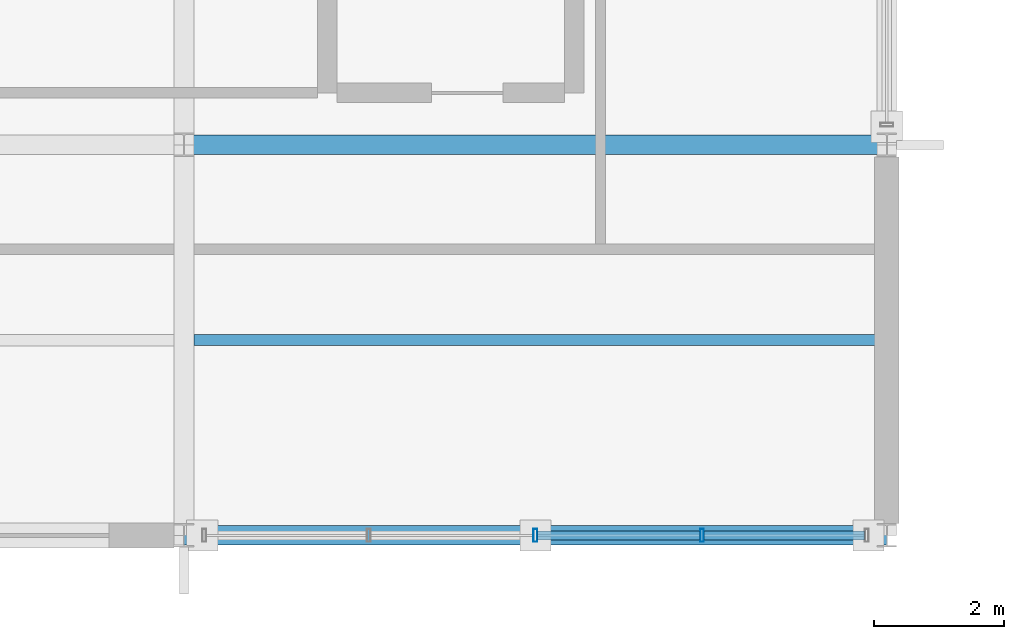
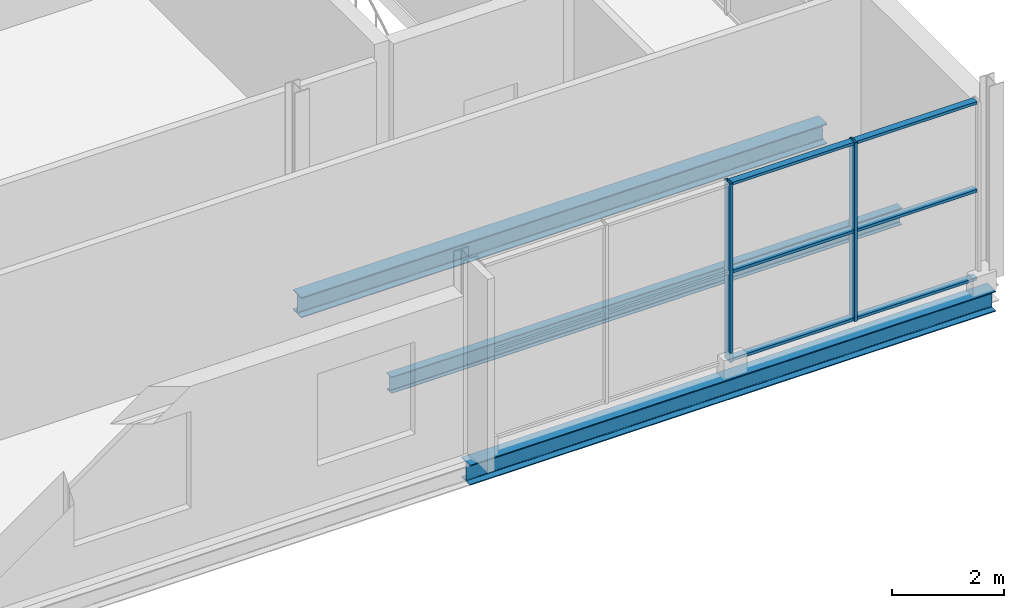
# One storey, part 79 of 117: 8 members, 3 beams, 1 element without a shape of its own.
"""IFC4 building model written with IfcOpenShell, lengths in metres."""

from ifc_helpers import new_model, si_unit, direction, frame, origin, origin_2d, place, context, subcontext, project, spatial, hollow_rectangle, i_section, extrude, material, material_profile, profile_set, type_object, element, aggregate, save


model = new_model("IFC4")

# Units and contexts
model_context = context("Model", 3, precision=1e-05, world=origin(), true_north=direction((0.0, 1.0)))
body_context = subcontext(model_context, "Body", "Model", "MODEL_VIEW")
ifc_project = project(units=[si_unit("LENGTHUNIT", "METRE"), si_unit("AREAUNIT", "SQUARE_METRE"), si_unit("VOLUMEUNIT", "CUBIC_METRE"), si_unit("PLANEANGLEUNIT", "RADIAN"), si_unit("MASSUNIT", "GRAM", prefix="KILO")], contexts=[model_context])

# Site, building, storey
site_placement = place(None, origin())
site = spatial("IfcSite", under=ifc_project, at=site_placement, CompositionType="ELEMENT")
building_placement = place(site_placement, origin())
building = spatial("IfcBuilding", under=site, at=building_placement, Name="Merenkruunu Market Hall", CompositionType="ELEMENT")
storey_placement = place(building_placement, frame((0.0, 0.0, 10.199951171875)))
storey = spatial("IfcBuildingStorey", under=building, at=storey_placement, Name="L02", CompositionType="ELEMENT", Elevation=10.199951171875)

# Curtain wall, members
ifc_material_1 = material(Name="Powder-coated aluminium", Category="aluminium")
curtain_wall_type = type_object("IfcCurtainWallType", Name="Glazed Curtain Wall CW07", PredefinedType="USERDEFINED", material=ifc_material_1)
curtain_wall_placement = place(storey_placement, origin())
curtain_wall = element("IfcCurtainWall", 1, at=curtain_wall_placement, inside=storey, type_object=curtain_wall_type, Name="CW-L02-CWM03-216", ObjectType="GLAZED_FACADE", PredefinedType="USERDEFINED")
ifc_material_profile_1 = material_profile(ifc_material_1, hollow_rectangle(XDim=0.06005859375, YDim=0.199951171875, WallThickness=0.0048828125, at=origin_2d()), Name="ALU 60x200x5")
ifc_profile_set_1 = profile_set([ifc_material_profile_1], Name="Powder-coated aluminium")
member_type_1 = type_object("IfcMemberType", Name="Curtain Wall Mullion CWM03", PredefinedType="MULLION", material=ifc_profile_set_1)
member_1_placement = place(storey_placement, frame((189.159912109375, 0.0, 0.0), z_axis=(0.0, 0.0, 1.0), x_axis=(-1.0, 0.0, 0.0)))
member_1 = element("IfcMember", 2, at=member_1_placement, type_object=member_type_1, Name="CW07 mullion 2", PredefinedType="MULLION", context=body_context, shape_type="SweptSolid", body=[
    extrude(hollow_rectangle(XDim=0.06005859375, YDim=0.199951171875, WallThickness=0.0048828125, at=origin_2d()), origin(), (0.0, 0.0, 1.0), 3.880126953125),
])
member_2_placement = place(storey_placement, frame((186.60009765625, 0.0, 0.0), z_axis=(0.0, 0.0, 1.0), x_axis=(-1.0, 0.0, 0.0)))
member_2 = element("IfcMember", 3, at=member_2_placement, type_object=member_type_1, Name="CW07 mullion 3", PredefinedType="MULLION", context=body_context, shape_type="SweptSolid", body=[
    extrude(hollow_rectangle(XDim=0.06005859375, YDim=0.199951171875, WallThickness=0.0048828125, at=origin_2d()), origin(), (0.0, 0.0, 1.0), 3.880126953125),
])
ifc_material_profile_2 = material_profile(ifc_material_1, hollow_rectangle(XDim=0.06005859375, YDim=0.139892578125, WallThickness=0.00390625, at=origin_2d()), Name="ALU 60x140x4")
ifc_profile_set_2 = profile_set([ifc_material_profile_2], Name="Powder-coated aluminium")
member_type_2 = type_object("IfcMemberType", Name="Curtain Wall Transom CWT02", PredefinedType="USERDEFINED", material=ifc_profile_set_2)
member_3_placement = place(storey_placement, frame((191.659912109375, 0.0, 0.030029296875), z_axis=(-1.0, 0.0, 0.0), x_axis=(0.0, 0.0, 1.0)))
member_3 = element("IfcMember", 4, at=member_3_placement, type_object=member_type_2, Name="CW07 transom 1.1", ObjectType="TRANSOM", PredefinedType="USERDEFINED", context=body_context, shape_type="SweptSolid", body=[
    extrude(hollow_rectangle(XDim=0.06005859375, YDim=0.139892578125, WallThickness=0.00390625, at=origin_2d()), origin(), (0.0, 0.0, 1.0), 2.469970703125),
])
member_4_placement = place(storey_placement, frame((191.659912109375, 0.0, 1.93994140625), z_axis=(-1.0, 0.0, 0.0), x_axis=(0.0, 0.0, 1.0)))
member_4 = element("IfcMember", 5, at=member_4_placement, type_object=member_type_2, Name="CW07 transom 1.2", ObjectType="TRANSOM", PredefinedType="USERDEFINED", context=body_context, shape_type="SweptSolid", body=[
    extrude(hollow_rectangle(XDim=0.06005859375, YDim=0.139892578125, WallThickness=0.00390625, at=origin_2d()), origin(), (0.0, 0.0, 1.0), 2.469970703125),
])
member_5_placement = place(storey_placement, frame((191.659912109375, 0.0, 3.85009765625), z_axis=(-1.0, 0.0, 0.0), x_axis=(0.0, 0.0, 1.0)))
member_5 = element("IfcMember", 6, at=member_5_placement, type_object=member_type_2, Name="CW07 transom 1.3", ObjectType="TRANSOM", PredefinedType="USERDEFINED", context=body_context, shape_type="SweptSolid", body=[
    extrude(hollow_rectangle(XDim=0.06005859375, YDim=0.139892578125, WallThickness=0.00390625, at=origin_2d()), origin(), (0.0, 0.0, 1.0), 2.469970703125),
])
member_6_placement = place(storey_placement, frame((189.1298828125, 0.0, 0.030029296875), z_axis=(-1.0, 0.0, 0.0), x_axis=(0.0, 0.0, 1.0)))
member_6 = element("IfcMember", 7, at=member_6_placement, type_object=member_type_2, Name="CW07 transom 2.1", ObjectType="TRANSOM", PredefinedType="USERDEFINED", context=body_context, shape_type="SweptSolid", body=[
    extrude(hollow_rectangle(XDim=0.06005859375, YDim=0.139892578125, WallThickness=0.00390625, at=origin_2d()), origin(), (0.0, 0.0, 1.0), 2.5),
])
member_7_placement = place(storey_placement, frame((189.1298828125, 0.0, 1.93994140625), z_axis=(-1.0, 0.0, 0.0), x_axis=(0.0, 0.0, 1.0)))
member_7 = element("IfcMember", 8, at=member_7_placement, type_object=member_type_2, Name="CW07 transom 2.2", ObjectType="TRANSOM", PredefinedType="USERDEFINED", context=body_context, shape_type="SweptSolid", body=[
    extrude(hollow_rectangle(XDim=0.06005859375, YDim=0.139892578125, WallThickness=0.00390625, at=origin_2d()), origin(), (0.0, 0.0, 1.0), 2.5),
])
member_8_placement = place(storey_placement, frame((189.1298828125, 0.0, 3.85009765625), z_axis=(-1.0, 0.0, 0.0), x_axis=(0.0, 0.0, 1.0)))
member_8 = element("IfcMember", 9, at=member_8_placement, type_object=member_type_2, Name="CW07 transom 2.3", ObjectType="TRANSOM", PredefinedType="USERDEFINED", context=body_context, shape_type="SweptSolid", body=[
    extrude(hollow_rectangle(XDim=0.06005859375, YDim=0.139892578125, WallThickness=0.00390625, at=origin_2d()), origin(), (0.0, 0.0, 1.0), 2.5),
])
aggregate(curtain_wall, [member_1, member_2, member_3, member_4, member_5, member_6, member_7, member_8])

# Beams
ifc_material_2 = material(Name="Steel S355J2", Category="steel")
ifc_material_profile_3 = material_profile(ifc_material_2, i_section(OverallWidth=0.300048828125, OverallDepth=0.43994140625, WebThickness=0.011474609375, FlangeThickness=0.02099609375, FilletRadius=0.027099609375, at=origin_2d()), Name="HEA 450")
ifc_profile_set_3 = profile_set([ifc_material_profile_3], Name="Steel S355J2")
beam_type_1 = type_object("IfcBeamType", Name="Primary Floor Girder B07", PredefinedType="BEAM", material=ifc_profile_set_3)
for number, where, z_axis, x_axis, name in (
    (10, (181.199951171875, 0.0, -0.530029296875), (1.0, 0.0, 0.0), (0.0, 1.0, 0.0), "BM-L02-B07-0739"),
    (11, (181.199951171875, 6.0, -0.530029296875), (1.0, 0.0, 0.0), (0.0, 1.0, 0.0), "BM-L02-B07-0743"),
):
    element("IfcBeam", number, at=place(storey_placement, frame(where, z_axis=z_axis, x_axis=x_axis)), inside=storey, type_object=beam_type_1, Name=name, PredefinedType="BEAM", context=body_context, shape_type="SweptSolid", body=[
        extrude(i_section(OverallWidth=0.300048828125, OverallDepth=0.43994140625, WebThickness=0.011474609375, FlangeThickness=0.02099609375, FilletRadius=0.027099609375, at=origin_2d()), origin(), (0.0, 0.0, 1.0), 10.800048828125),
    ])
ifc_material_profile_4 = material_profile(ifc_material_2, i_section(OverallWidth=0.169921875, OverallDepth=0.360107421875, WebThickness=0.008056640625, FlangeThickness=0.0126953125, FilletRadius=0.01806640625, at=origin_2d()), Name="IPE 360")
ifc_profile_set_4 = profile_set([ifc_material_profile_4], Name="Steel S355J2")
beam_type_2 = type_object("IfcBeamType", Name="Secondary Floor Joist J03", PredefinedType="JOIST", material=ifc_profile_set_4)
beam_placement = place(storey_placement, frame((181.35302734375, 3.0, -0.489990234375), z_axis=(1.0, 0.0, 0.0), x_axis=(0.0, 1.0, 0.0)))
element("IfcBeam", 12, at=beam_placement, inside=storey, type_object=beam_type_2, Name="BM-L02-J03-0852", PredefinedType="JOIST", context=body_context, shape_type="SweptSolid", body=[
    extrude(i_section(OverallWidth=0.169921875, OverallDepth=0.360107421875, WebThickness=0.008056640625, FlangeThickness=0.0126953125, FilletRadius=0.01806640625, at=origin_2d()), origin(), (0.0, 0.0, 1.0), 10.493896484375),
])

save(model, "model.ifc")
